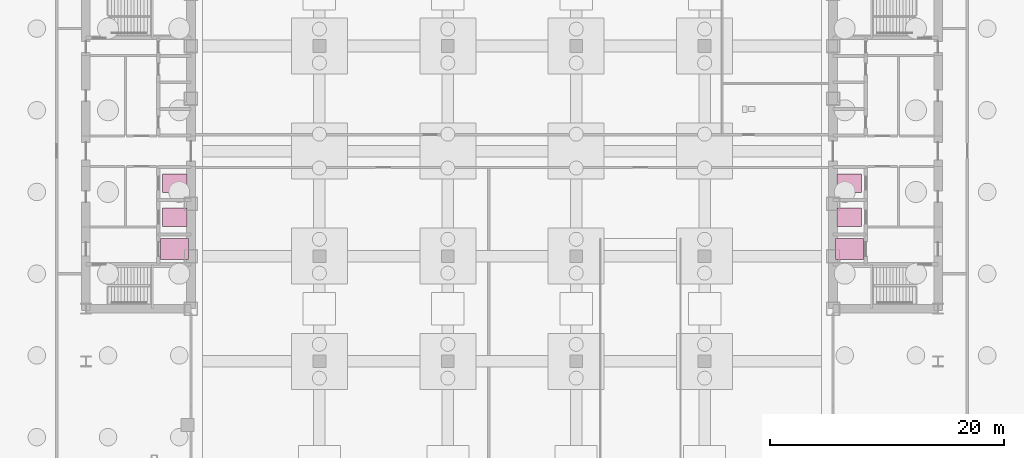
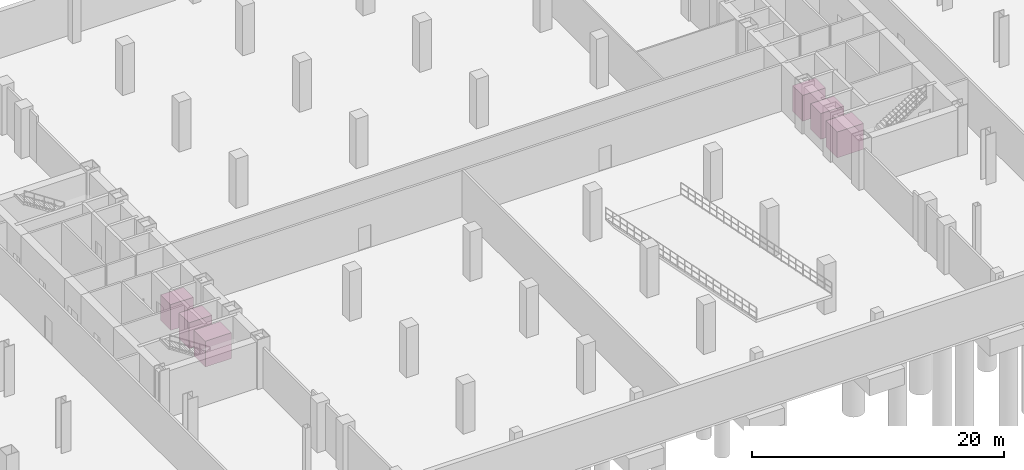
# One storey, part 18 of 18: 6 transport elements.
"""IFC4 building model written with IfcOpenShell, lengths in metres."""

from ifc_helpers import new_model, si_unit, direction, frame, origin, origin_2d, place, context, subcontext, project, spatial, rectangle, extrude, source, transform, mapped, material, type_object, type_shapes, element, save


model = new_model("IFC4")

# Units and contexts
model_context = context("Model", 3, precision=1e-05, world=origin(), true_north=direction((0.0, 1.0)))
body_context = subcontext(model_context, "Body", "Model", "MODEL_VIEW")
ifc_project = project(units=[si_unit("LENGTHUNIT", "METRE"), si_unit("AREAUNIT", "SQUARE_METRE"), si_unit("VOLUMEUNIT", "CUBIC_METRE"), si_unit("PLANEANGLEUNIT", "RADIAN"), si_unit("MASSUNIT", "GRAM", prefix="KILO")], contexts=[model_context])

# Site, building, storey
site_placement = place(None, origin())
site = spatial("IfcSite", under=ifc_project, at=site_placement, CompositionType="ELEMENT")
building_placement = place(site_placement, origin())
building = spatial("IfcBuilding", under=site, at=building_placement, Name="Seokmaru Belvedere", CompositionType="ELEMENT")
storey_placement = place(building_placement, frame((0.0, 0.0, -9.60009765625)))
storey = spatial("IfcBuildingStorey", under=building, at=storey_placement, Name="B2", CompositionType="ELEMENT", Elevation=-9.60009765625)

# Transport elements
ifc_material = material(Name="Stainless Steel 316", Category="steel")
transport_element_type_1 = type_object("IfcTransportElementType", Name="Firefighting and Evacuation Lift Car 1800x2400", PredefinedType="ELEVATOR", material=ifc_material)
shared_shape_1 = source(origin(), body_context, "Body", "SweptSolid", [
    extrude(rectangle(XDim=2.39990234375, YDim=1.800048828125, at=origin_2d()), origin(), (0.0, 0.0, 1.0), 2.5),
])
type_shapes(transport_element_type_1, [shared_shape_1])
for number, where, z_axis, x_axis, name in (
    (1, (-28.89990234375, -8.39990234375, 0.0), (0.0, 0.0, 1.0), (1.0, 0.0, 0.0), "Firefighting and Evacuation Lift FFL-W1"),
    (2, (28.89990234375, -8.39990234375, 0.0), (0.0, 0.0, 1.0), (1.0, 0.0, 0.0), "Firefighting and Evacuation Lift FFL-E1"),
):
    element("IfcTransportElement", number, at=place(storey_placement, frame(where, z_axis=z_axis, x_axis=x_axis)), inside=storey, type_object=transport_element_type_1, Name=name, PredefinedType="ELEVATOR", context=body_context, shape_type="MappedRepresentation", body=[
        mapped(shared_shape_1, transform((0.0, 0.0, 0.0), scale=1.0)),
    ])
transport_element_type_2 = type_object("IfcTransportElementType", Name="Residential High-Speed Passenger Lift Car 1600x2100", PredefinedType="ELEVATOR", material=ifc_material)
shared_shape_2 = source(origin(), body_context, "Body", "SweptSolid", [
    extrude(rectangle(XDim=2.10009765625, YDim=1.60009765625, at=origin_2d()), origin(), (0.0, 0.0, 1.0), 2.5),
])
type_shapes(transport_element_type_2, [shared_shape_2])
for number, where, z_axis, x_axis, name in (
    (3, (-28.89990234375, -5.64990234375, 0.0), (0.0, 0.0, 1.0), (1.0, 0.0, 0.0), "Low-Rise Passenger Lift PL-W1"),
    (4, (-28.89990234375, -2.75, 0.0), (0.0, 0.0, 1.0), (1.0, 0.0, 0.0), "Low-Rise Passenger Lift PL-W2"),
    (5, (28.89990234375, -5.64990234375, 0.0), (0.0, 0.0, 1.0), (1.0, 0.0, 0.0), "Low-Rise Passenger Lift PL-E1"),
    (6, (28.89990234375, -2.75, 0.0), (0.0, 0.0, 1.0), (1.0, 0.0, 0.0), "Low-Rise Passenger Lift PL-E2"),
):
    element("IfcTransportElement", number, at=place(storey_placement, frame(where, z_axis=z_axis, x_axis=x_axis)), inside=storey, type_object=transport_element_type_2, Name=name, PredefinedType="ELEVATOR", context=body_context, shape_type="MappedRepresentation", body=[
        mapped(shared_shape_2, transform((0.0, 0.0, 0.0), scale=1.0)),
    ])

save(model, "model.ifc")
